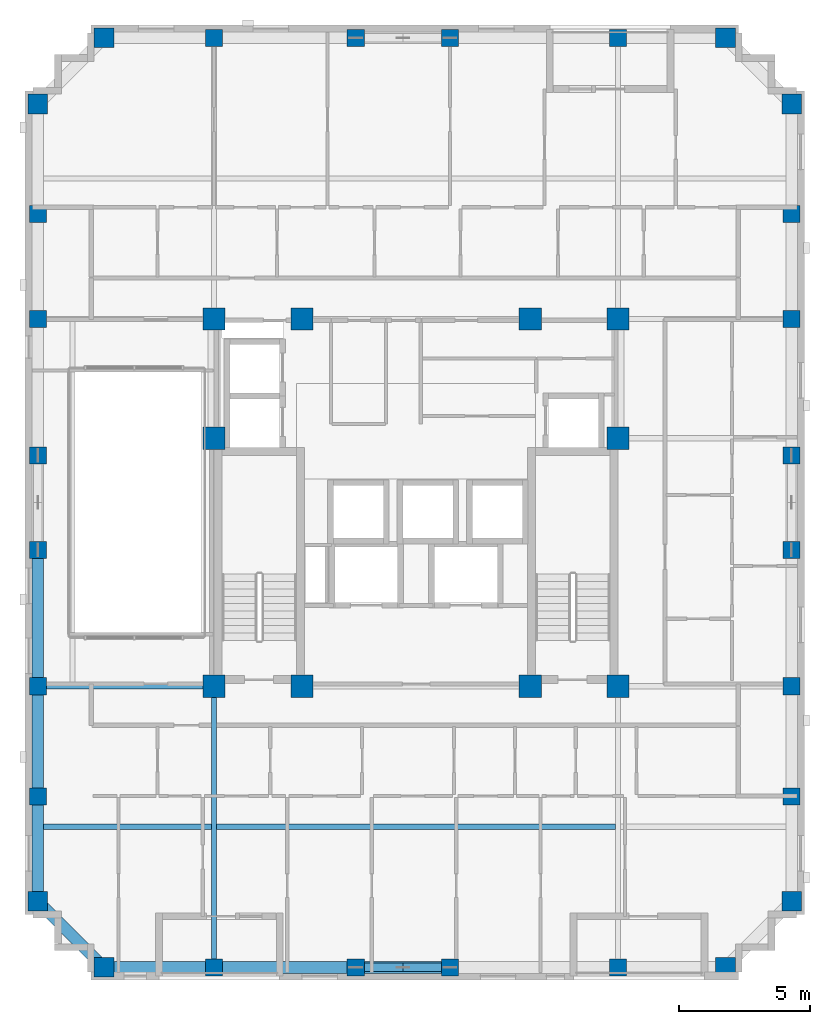
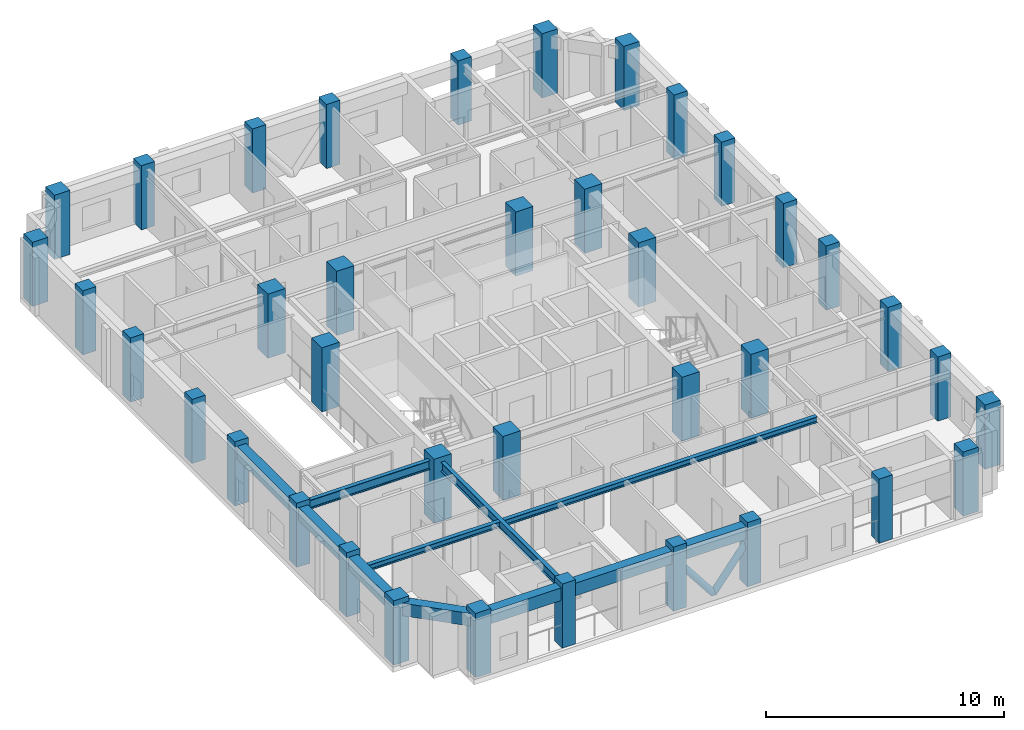
# One storey, part 1 of 13: 38 columns, 11 beams, 2 members.
"""IFC4 building model written with IfcOpenShell, lengths in metres."""

from ifc_helpers import new_model, si_unit, derived_unit, direction, frame, origin, origin_2d, place, context, subcontext, project, spatial, rectangle, hollow_circle, i_section, extrude, material, material_profile, profile_set, type_object, element, save


model = new_model("IFC4")

# Units and contexts
model_context = context("Model", 3, precision=1e-05, world=origin(), true_north=direction((0.0, 1.0)))
body_context = subcontext(model_context, "Body", "Model", "MODEL_VIEW")
ifc_project = project(units=[si_unit("LENGTHUNIT", "METRE"), si_unit("AREAUNIT", "SQUARE_METRE"), si_unit("VOLUMEUNIT", "CUBIC_METRE"), si_unit("PLANEANGLEUNIT", "RADIAN"), si_unit("MASSUNIT", "GRAM", prefix="KILO"), derived_unit("THERMALTRANSMITTANCEUNIT", [(si_unit("MASSUNIT", "GRAM", prefix="KILO"), 1), (si_unit("TIMEUNIT", "SECOND"), -3), (si_unit("THERMODYNAMICTEMPERATUREUNIT", "KELVIN"), -1)])], contexts=[model_context])

# Site, building, storey
site_placement = place(None, origin())
site = spatial("IfcSite", under=ifc_project, at=site_placement, CompositionType="ELEMENT")
building_placement = place(site_placement, origin())
building = spatial("IfcBuilding", under=site, at=building_placement, Name="Korrvale Station Residences", CompositionType="ELEMENT")
storey_placement = place(building_placement, frame((0.0, 0.0, 177.699951171875)))
storey = spatial("IfcBuildingStorey", under=building, at=storey_placement, Name="L51", CompositionType="ELEMENT", Elevation=177.699951171875)

# Columns
ifc_material_1 = material(Name="Concrete C50/60", Category="concrete")
ifc_material_profile_1 = material_profile(ifc_material_1, rectangle(XDim=0.64990234375, YDim=0.64990234375, at=origin_2d()), Name="RC650x650")
ifc_profile_set_1 = profile_set([ifc_material_profile_1], Name="Concrete C50/60")
column_type_1 = type_object("IfcColumnType", Name="COL-C-RC650x650-C5060", PredefinedType="COLUMN", material=ifc_profile_set_1)
for number, where, z_axis, x_axis, name in (
    (1, (17.800048828125, 4.280029296875, 0.0), (0.0, 0.0, 1.0), (1.0, 0.0, 0.0), "L51 Bundled-Tube South Column 02"),
    (2, (23.199951171875, 4.280029296875, 0.0), (0.0, 0.0, 1.0), (1.0, 0.0, 0.0), "L51 Bundled-Tube South Column 03"),
    (3, (26.800048828125, 4.280029296875, 0.0), (0.0, 0.0, 1.0), (1.0, 0.0, 0.0), "L51 Bundled-Tube South Column 04"),
    (4, (33.199951171875, 4.280029296875, 0.0), (0.0, 0.0, 1.0), (1.0, 0.0, 0.0), "L51 Bundled-Tube South Column 05"),
    (5, (17.800048828125, 39.719970703125, 0.0), (0.0, 0.0, 1.0), (1.0, 0.0, 0.0), "L51 Bundled-Tube North Column 08"),
    (6, (23.199951171875, 39.719970703125, 0.0), (0.0, 0.0, 1.0), (1.0, 0.0, 0.0), "L51 Bundled-Tube North Column 09"),
    (7, (26.800048828125, 39.719970703125, 0.0), (0.0, 0.0, 1.0), (1.0, 0.0, 0.0), "L51 Bundled-Tube North Column 10"),
    (8, (33.199951171875, 39.719970703125, 0.0), (0.0, 0.0, 1.0), (1.0, 0.0, 0.0), "L51 Bundled-Tube North Column 11"),
    (9, (11.080078125, 10.800048828125, 0.0), (0.0, 0.0, 1.0), (1.0, 0.0, 0.0), "L51 Bundled-Tube West Column 14"),
    (10, (11.080078125, 15.0, 0.0), (0.0, 0.0, 1.0), (1.0, 0.0, 0.0), "L51 Bundled-Tube West Column 15"),
    (11, (11.080078125, 20.199951171875, 0.0), (0.0, 0.0, 1.0), (1.0, 0.0, 0.0), "L51 Bundled-Tube West Column 16"),
    (12, (11.080078125, 23.800048828125, 0.0), (0.0, 0.0, 1.0), (1.0, 0.0, 0.0), "L51 Bundled-Tube West Column 17"),
    (13, (11.080078125, 29.0, 0.0), (0.0, 0.0, 1.0), (1.0, 0.0, 0.0), "L51 Bundled-Tube West Column 18"),
    (14, (11.080078125, 33.0, 0.0), (0.0, 0.0, 1.0), (1.0, 0.0, 0.0), "L51 Bundled-Tube West Column 19"),
    (15, (39.820068359375, 10.800048828125, 0.0), (0.0, 0.0, 1.0), (1.0, 0.0, 0.0), "L51 Bundled-Tube East Column 22"),
    (16, (39.820068359375, 15.0, 0.0), (0.0, 0.0, 1.0), (1.0, 0.0, 0.0), "L51 Bundled-Tube East Column 23"),
    (17, (39.820068359375, 20.199951171875, 0.0), (0.0, 0.0, 1.0), (1.0, 0.0, 0.0), "L51 Bundled-Tube East Column 24"),
    (18, (39.820068359375, 23.800048828125, 0.0), (0.0, 0.0, 1.0), (1.0, 0.0, 0.0), "L51 Bundled-Tube East Column 25"),
    (19, (39.820068359375, 29.0, 0.0), (0.0, 0.0, 1.0), (1.0, 0.0, 0.0), "L51 Bundled-Tube East Column 26"),
    (20, (39.820068359375, 33.0, 0.0), (0.0, 0.0, 1.0), (1.0, 0.0, 0.0), "L51 Bundled-Tube East Column 27"),
):
    element("IfcColumn", number, at=place(storey_placement, frame(where, z_axis=z_axis, x_axis=x_axis)), inside=storey, type_object=column_type_1, Name=name, PredefinedType="COLUMN", context=body_context, shape_type="SweptSolid", body=[
        extrude(rectangle(XDim=0.64990234375, YDim=0.64990234375, at=origin_2d()), origin(), (0.0, 0.0, 1.0), 3.300048828125),
    ])
ifc_material_profile_2 = material_profile(ifc_material_1, rectangle(XDim=0.75, YDim=0.75, at=origin_2d()), Name="RC750x750")
ifc_profile_set_2 = profile_set([ifc_material_profile_2], Name="Concrete C50/60")
column_type_2 = type_object("IfcColumnType", Name="COL-C-RC750x750-C5060", PredefinedType="COLUMN", material=ifc_profile_set_2)
for number, where, z_axis, x_axis, name in (
    (21, (13.60009765625, 4.280029296875, 0.0), (0.0, 0.0, 1.0), (1.0, 0.0, 0.0), "L51 Bundled-Tube South Column 01"),
    (22, (37.300048828125, 4.280029296875, 0.0), (0.0, 0.0, 1.0), (1.0, 0.0, 0.0), "L51 Bundled-Tube South Column 06"),
    (23, (13.60009765625, 39.719970703125, 0.0), (0.0, 0.0, 1.0), (1.0, 0.0, 0.0), "L51 Bundled-Tube North Column 07"),
    (24, (37.300048828125, 39.719970703125, 0.0), (0.0, 0.0, 1.0), (1.0, 0.0, 0.0), "L51 Bundled-Tube North Column 12"),
    (25, (11.080078125, 6.800048828125, 0.0), (0.0, 0.0, 1.0), (1.0, 0.0, 0.0), "L51 Bundled-Tube West Column 13"),
    (26, (11.080078125, 37.199951171875, 0.0), (0.0, 0.0, 1.0), (1.0, 0.0, 0.0), "L51 Bundled-Tube West Column 20"),
    (27, (39.820068359375, 6.800048828125, 0.0), (0.0, 0.0, 1.0), (1.0, 0.0, 0.0), "L51 Bundled-Tube East Column 21"),
    (28, (39.820068359375, 37.199951171875, 0.0), (0.0, 0.0, 1.0), (1.0, 0.0, 0.0), "L51 Bundled-Tube East Column 28"),
):
    element("IfcColumn", number, at=place(storey_placement, frame(where, z_axis=z_axis, x_axis=x_axis)), inside=storey, type_object=column_type_2, Name=name, PredefinedType="COLUMN", context=body_context, shape_type="SweptSolid", body=[
        extrude(rectangle(XDim=0.75, YDim=0.75, at=origin_2d()), origin(), (0.0, 0.0, 1.0), 3.300048828125),
    ])
ifc_material_profile_3 = material_profile(ifc_material_1, rectangle(XDim=0.85009765625, YDim=0.85009765625, at=origin_2d()), Name="RC850x850")
ifc_profile_set_3 = profile_set([ifc_material_profile_3], Name="Concrete C50/60")
column_type_3 = type_object("IfcColumnType", Name="COL-C-RC850x850-C5060", PredefinedType="COLUMN", material=ifc_profile_set_3)
for number, where, z_axis, x_axis, name in (
    (29, (17.800048828125, 15.0, 0.0), (0.0, 0.0, 1.0), (1.0, 0.0, 0.0), "L51 Core Column 01"),
    (30, (21.14990234375, 15.0, 0.0), (0.0, 0.0, 1.0), (1.0, 0.0, 0.0), "L51 Core Column 02"),
    (31, (29.85009765625, 15.0, 0.0), (0.0, 0.0, 1.0), (1.0, 0.0, 0.0), "L51 Core Column 03"),
    (32, (33.199951171875, 15.0, 0.0), (0.0, 0.0, 1.0), (1.0, 0.0, 0.0), "L51 Core Column 04"),
    (33, (17.800048828125, 29.0, 0.0), (0.0, 0.0, 1.0), (1.0, 0.0, 0.0), "L51 Core Column 05"),
    (34, (21.14990234375, 29.0, 0.0), (0.0, 0.0, 1.0), (1.0, 0.0, 0.0), "L51 Core Column 06"),
    (35, (29.85009765625, 29.0, 0.0), (0.0, 0.0, 1.0), (1.0, 0.0, 0.0), "L51 Core Column 07"),
    (36, (33.199951171875, 29.0, 0.0), (0.0, 0.0, 1.0), (1.0, 0.0, 0.0), "L51 Core Column 08"),
    (37, (17.800048828125, 24.449951171875, 0.0), (0.0, 0.0, 1.0), (1.0, 0.0, 0.0), "L51 Core Column 09"),
    (38, (33.199951171875, 24.449951171875, 0.0), (0.0, 0.0, 1.0), (1.0, 0.0, 0.0), "L51 Core Column 10"),
):
    element("IfcColumn", number, at=place(storey_placement, frame(where, z_axis=z_axis, x_axis=x_axis)), inside=storey, type_object=column_type_3, Name=name, PredefinedType="COLUMN", context=body_context, shape_type="SweptSolid", body=[
        extrude(rectangle(XDim=0.85009765625, YDim=0.85009765625, at=origin_2d()), origin(), (0.0, 0.0, 1.0), 3.300048828125),
    ])

# Beams
ifc_material_2 = material(Name="Steel S355", Category="steel")
ifc_material_profile_4 = material_profile(ifc_material_2, i_section(OverallWidth=0.194091796875, OverallDepth=0.468994140625, WebThickness=0.0126953125, FlangeThickness=0.0205078125, FilletRadius=0.01611328125, at=origin_2d()), Name="W460x106")
ifc_profile_set_4 = profile_set([ifc_material_profile_4], Name="Steel S355")
beam_type_1 = type_object("IfcBeamType", Name="BM-BM-W460x106-S355", PredefinedType="BEAM", material=ifc_profile_set_4)
beam_1_placement = place(storey_placement, frame((17.800048828125, 4.280029296875, 2.8056640625), z_axis=(0.0, 1.0, 0.0), x_axis=(-1.0, 0.0, 0.0)))
element("IfcBeam", 39, at=beam_1_placement, inside=storey, type_object=beam_type_1, Name="L51 Bundled-Tube Web Girder 01", PredefinedType="BEAM", context=body_context, shape_type="SweptSolid", body=[
    extrude(i_section(OverallWidth=0.194091796875, OverallDepth=0.468994140625, WebThickness=0.0126953125, FlangeThickness=0.0205078125, FilletRadius=0.01611328125, at=origin_2d()), origin(), (0.0, 0.0, 1.0), 10.719970703125),
])
beam_2_placement = place(storey_placement, frame((11.080078125, 15.0, 2.8056640625), z_axis=(1.0, 0.0, 0.0), x_axis=(0.0, 1.0, 0.0)))
element("IfcBeam", 40, at=beam_2_placement, inside=storey, type_object=beam_type_1, Name="L51 Bundled-Tube Web Girder 05", PredefinedType="BEAM", context=body_context, shape_type="SweptSolid", body=[
    extrude(i_section(OverallWidth=0.194091796875, OverallDepth=0.468994140625, WebThickness=0.0126953125, FlangeThickness=0.0205078125, FilletRadius=0.01611328125, at=origin_2d()), origin(), (0.0, 0.0, 1.0), 6.719970703125),
])
ifc_material_profile_5 = material_profile(ifc_material_2, i_section(OverallWidth=0.202880859375, OverallDepth=0.302978515625, WebThickness=0.007568359375, FlangeThickness=0.01318359375, FilletRadius=0.014892578125, at=origin_2d()), Name="W310x60")
ifc_profile_set_5 = profile_set([ifc_material_profile_5], Name="Steel S355")
beam_type_2 = type_object("IfcBeamType", Name="BM-JST-W310x60-S355", PredefinedType="JOIST", material=ifc_profile_set_5)
beam_3_placement = place(storey_placement, frame((11.304931640625, 9.639892578125, 2.888427734375), z_axis=(1.0, 0.0, 0.0), x_axis=(0.0, 1.0, 0.0)))
element("IfcBeam", 41, at=beam_3_placement, inside=storey, type_object=beam_type_2, Name="L51 Floor Framing Joist 01", PredefinedType="JOIST", context=body_context, shape_type="SweptSolid", body=[
    extrude(i_section(OverallWidth=0.202880859375, OverallDepth=0.302978515625, WebThickness=0.007568359375, FlangeThickness=0.01318359375, FilletRadius=0.014892578125, at=origin_2d()), origin(), (0.0, 0.0, 1.0), 6.39794921875),
])
beam_4_placement = place(storey_placement, frame((17.89697265625, 9.639892578125, 2.888427734375), z_axis=(1.0, 0.0, 0.0), x_axis=(0.0, 1.0, 0.0)))
element("IfcBeam", 42, at=beam_4_placement, inside=storey, type_object=beam_type_2, Name="L51 Floor Framing Joist 02", PredefinedType="JOIST", context=body_context, shape_type="SweptSolid", body=[
    extrude(i_section(OverallWidth=0.202880859375, OverallDepth=0.302978515625, WebThickness=0.007568359375, FlangeThickness=0.01318359375, FilletRadius=0.014892578125, at=origin_2d()), origin(), (0.0, 0.0, 1.0), 15.2060546875),
])
ifc_material_profile_6 = material_profile(ifc_material_1, rectangle(XDim=0.449951171875, YDim=0.64990234375, at=origin_2d()), Name="RCB450x650")
ifc_profile_set_6 = profile_set([ifc_material_profile_6], Name="Concrete C50/60")
beam_type_3 = type_object("IfcBeamType", Name="BM-SPB-RCB450x650-C5060", PredefinedType="SPANDREL", material=ifc_profile_set_6)
beam_5_placement = place(storey_placement, frame((13.60009765625, 4.280029296875, 2.715087890625), z_axis=(1.0, 0.0, 0.0), x_axis=(0.0, 1.0, 0.0)))
element("IfcBeam", 43, at=beam_5_placement, inside=storey, type_object=beam_type_3, Name="L51 South Tube Spandrel 01", PredefinedType="SPANDREL", context=body_context, shape_type="SweptSolid", body=[
    extrude(rectangle(XDim=0.449951171875, YDim=0.64990234375, at=origin_2d()), origin(), (0.0, 0.0, 1.0), 4.199951171875),
])
beam_6_placement = place(storey_placement, frame((17.800048828125, 4.280029296875, 2.715087890625), z_axis=(1.0, 0.0, 0.0), x_axis=(0.0, 1.0, 0.0)))
element("IfcBeam", 44, at=beam_6_placement, inside=storey, type_object=beam_type_3, Name="L51 South Tube Spandrel 02", PredefinedType="SPANDREL", context=body_context, shape_type="SweptSolid", body=[
    extrude(rectangle(XDim=0.449951171875, YDim=0.64990234375, at=origin_2d()), origin(), (0.0, 0.0, 1.0), 5.39990234375),
])
beam_7_placement = place(storey_placement, frame((23.199951171875, 4.280029296875, 2.715087890625), z_axis=(1.0, 0.0, 0.0), x_axis=(0.0, 1.0, 0.0)))
element("IfcBeam", 45, at=beam_7_placement, inside=storey, type_object=beam_type_3, Name="L51 South Tube Spandrel 03", PredefinedType="SPANDREL", context=body_context, shape_type="SweptSolid", body=[
    extrude(rectangle(XDim=0.449951171875, YDim=0.64990234375, at=origin_2d()), origin(), (0.0, 0.0, 1.0), 3.60009765625),
])
beam_8_placement = place(storey_placement, frame((11.080078125, 6.800048828125, 2.715087890625), z_axis=(0.0, 1.0, 0.0), x_axis=(-1.0, 0.0, 0.0)))
element("IfcBeam", 46, at=beam_8_placement, inside=storey, type_object=beam_type_3, Name="L51 West Tube Spandrel 11", PredefinedType="SPANDREL", context=body_context, shape_type="SweptSolid", body=[
    extrude(rectangle(XDim=0.449951171875, YDim=0.64990234375, at=origin_2d()), origin(), (0.0, 0.0, 1.0), 4.0),
])
beam_9_placement = place(storey_placement, frame((11.080078125, 10.800048828125, 2.715087890625), z_axis=(0.0, 1.0, 0.0), x_axis=(-1.0, 0.0, 0.0)))
element("IfcBeam", 47, at=beam_9_placement, inside=storey, type_object=beam_type_3, Name="L51 West Tube Spandrel 12", PredefinedType="SPANDREL", context=body_context, shape_type="SweptSolid", body=[
    extrude(rectangle(XDim=0.449951171875, YDim=0.64990234375, at=origin_2d()), origin(), (0.0, 0.0, 1.0), 4.199951171875),
])
beam_10_placement = place(storey_placement, frame((11.080078125, 15.0, 2.715087890625), z_axis=(0.0, 1.0, 0.0), x_axis=(-1.0, 0.0, 0.0)))
element("IfcBeam", 48, at=beam_10_placement, inside=storey, type_object=beam_type_3, Name="L51 West Tube Spandrel 13", PredefinedType="SPANDREL", context=body_context, shape_type="SweptSolid", body=[
    extrude(rectangle(XDim=0.449951171875, YDim=0.64990234375, at=origin_2d()), origin(), (0.0, 0.0, 1.0), 5.199951171875),
])
beam_11_placement = place(storey_placement, frame((13.60009765625, 4.280029296875, 2.715087890625), z_axis=(-0.707106781187, 0.707106781187, 0.0), x_axis=(-0.707106781187, -0.707106781187, 0.0)))
element("IfcBeam", 49, at=beam_11_placement, inside=storey, type_object=beam_type_3, Name="L51 Serrated Corner Spandrel 25", PredefinedType="SPANDREL", context=body_context, shape_type="SweptSolid", body=[
    extrude(rectangle(XDim=0.449951171875, YDim=0.64990234375, at=origin_2d()), origin(), (0.0, 0.0, 1.0), 3.56396484375),
])

# Members
ifc_material_profile_7 = material_profile(ifc_material_2, hollow_circle(Radius=0.161865234375, WallThickness=0.015869140625, at=origin_2d()), Name="HSS324x16")
ifc_profile_set_7 = profile_set([ifc_material_profile_7], Name="Steel S355")
member_type = type_object("IfcMemberType", Name="MBR-BR-HSS324x16", PredefinedType="BRACE", material=ifc_profile_set_7)
for number, where, z_axis, x_axis, name in (
    (50, (25.0, 4.280029296875, 0.02001953125), (-0.617977009695, 0.0, 0.786196168579), (0.0, -1.0, 0.0), "L51 S Perimeter Tube Wind Brace 1"),
    (51, (25.0, 4.280029296875, 0.02001953125), (0.617977009695, 0.0, 0.786196168579), (0.0, 1.0, 0.0), "L51 S Perimeter Tube Wind Brace 2"),
):
    element("IfcMember", number, at=place(storey_placement, frame(where, z_axis=z_axis, x_axis=x_axis)), inside=storey, type_object=member_type, Name=name, PredefinedType="BRACE", context=body_context, shape_type="SweptSolid", body=[
        extrude(hollow_circle(Radius=0.161865234375, WallThickness=0.015869140625, at=origin_2d()), origin(), (0.0, 0.0, 1.0), 2.912841796875),
    ])

save(model, "model.ifc")
